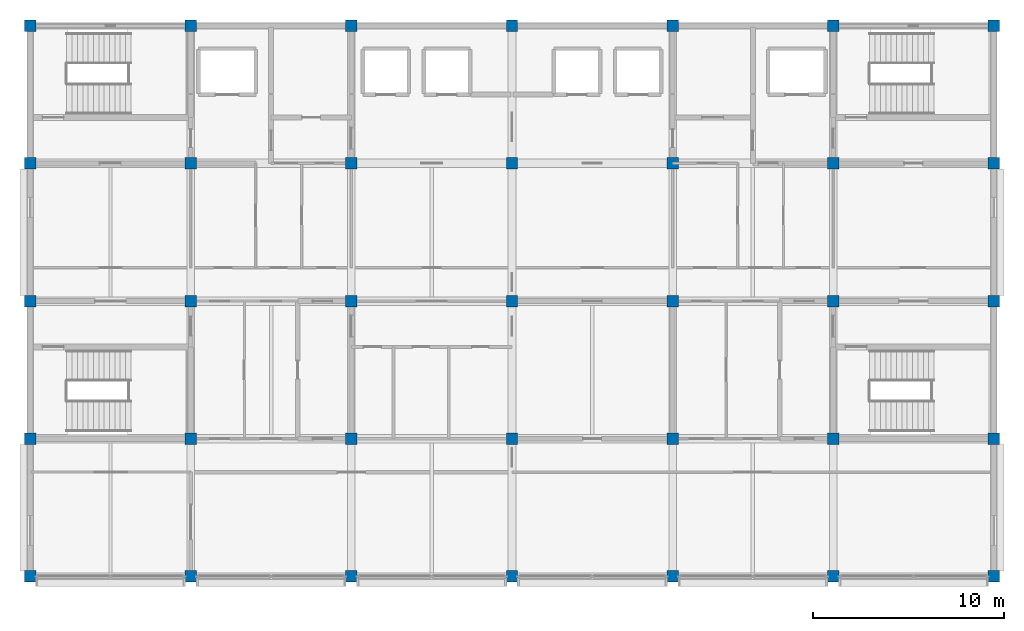
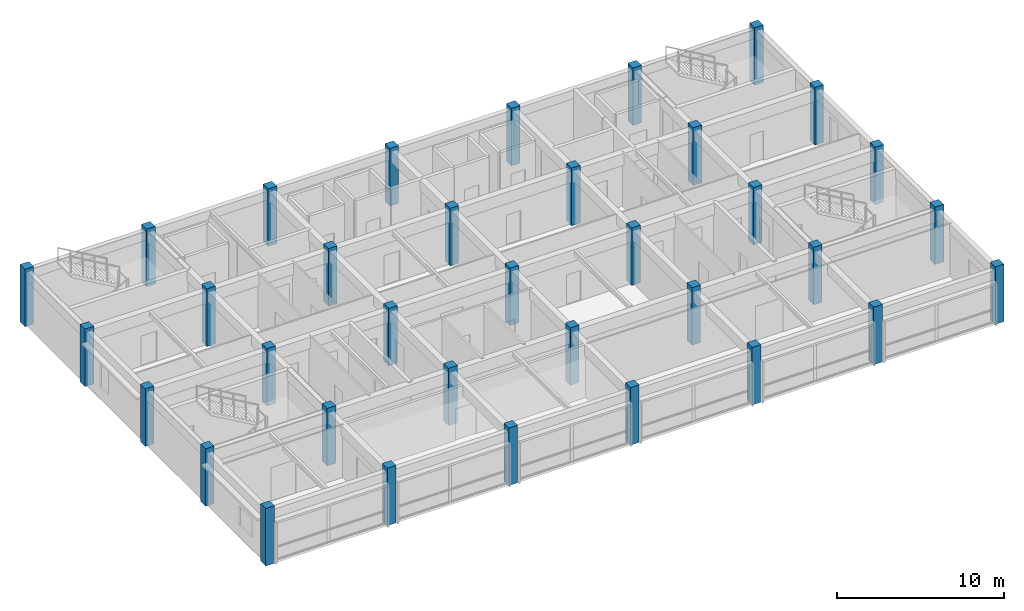
# One storey, part 1 of 13: 35 columns.
"""IFC4 building model written with IfcOpenShell, lengths in metres."""

from ifc_helpers import new_model, si_unit, direction, frame, origin, origin_2d, place, context, subcontext, project, spatial, rectangle, extrude, material, material_profile, profile_set, type_object, element, save


model = new_model("IFC4")

# Units and contexts
model_context = context("Model", 3, precision=1e-05, world=origin(), true_north=direction((0.0, 1.0)))
body_context = subcontext(model_context, "Body", "Model", "MODEL_VIEW")
ifc_project = project(units=[si_unit("LENGTHUNIT", "METRE"), si_unit("AREAUNIT", "SQUARE_METRE"), si_unit("VOLUMEUNIT", "CUBIC_METRE"), si_unit("PLANEANGLEUNIT", "RADIAN"), si_unit("MASSUNIT", "GRAM", prefix="KILO")], contexts=[model_context])

# Site, building, storey
site_placement = place(None, origin())
site = spatial("IfcSite", under=ifc_project, at=site_placement, CompositionType="ELEMENT")
building_placement = place(site_placement, origin())
building = spatial("IfcBuilding", under=site, at=building_placement, Name="Chengyuan Square Courthouse", CompositionType="ELEMENT")
storey_placement = place(building_placement, frame((0.0, 0.0, 64.5)))
storey = spatial("IfcBuildingStorey", under=building, at=storey_placement, Name="L15", CompositionType="ELEMENT", Elevation=64.5)

# Columns
ifc_material = material(Name="Concrete C40", Category="concrete")
ifc_material_profile = material_profile(ifc_material, rectangle(XDim=0.60009765625, YDim=0.60009765625, at=origin_2d()), Name="RC-COL-600x600")
ifc_profile_set = profile_set([ifc_material_profile], Name="Concrete C40")
column_type = type_object("IfcColumnType", Name="CL-07", PredefinedType="COLUMN", material=ifc_profile_set)
for number, where, z_axis, x_axis, name in (
    (1, (58.800048828125, 79.199951171875, 0.0), (0.0, 0.0, 1.0), (1.0, 0.0, 0.0), "Column CL-L15-001"),
    (2, (58.800048828125, 86.39990234375, 0.0), (0.0, 0.0, 1.0), (1.0, 0.0, 0.0), "Column CL-L15-002"),
    (3, (58.800048828125, 93.60009765625, 0.0), (0.0, 0.0, 1.0), (1.0, 0.0, 0.0), "Column CL-L15-003"),
    (4, (58.800048828125, 100.800048828125, 0.0), (0.0, 0.0, 1.0), (1.0, 0.0, 0.0), "Column CL-L15-004"),
    (5, (58.800048828125, 108.0, 0.0), (0.0, 0.0, 1.0), (1.0, 0.0, 0.0), "Column CL-L15-005"),
    (6, (67.199951171875, 79.199951171875, 0.0), (0.0, 0.0, 1.0), (1.0, 0.0, 0.0), "Column CL-L15-006"),
    (7, (67.199951171875, 86.39990234375, 0.0), (0.0, 0.0, 1.0), (1.0, 0.0, 0.0), "Column CL-L15-007"),
    (8, (67.199951171875, 93.60009765625, 0.0), (0.0, 0.0, 1.0), (1.0, 0.0, 0.0), "Column CL-L15-008"),
    (9, (67.199951171875, 100.800048828125, 0.0), (0.0, 0.0, 1.0), (1.0, 0.0, 0.0), "Column CL-L15-009"),
    (10, (67.199951171875, 108.0, 0.0), (0.0, 0.0, 1.0), (1.0, 0.0, 0.0), "Column CL-L15-010"),
    (11, (75.60009765625, 79.199951171875, 0.0), (0.0, 0.0, 1.0), (1.0, 0.0, 0.0), "Column CL-L15-011"),
    (12, (75.60009765625, 86.39990234375, 0.0), (0.0, 0.0, 1.0), (1.0, 0.0, 0.0), "Column CL-L15-012"),
    (13, (75.60009765625, 93.60009765625, 0.0), (0.0, 0.0, 1.0), (1.0, 0.0, 0.0), "Column CL-L15-013"),
    (14, (75.60009765625, 100.800048828125, 0.0), (0.0, 0.0, 1.0), (1.0, 0.0, 0.0), "Column CL-L15-014"),
    (15, (75.60009765625, 108.0, 0.0), (0.0, 0.0, 1.0), (1.0, 0.0, 0.0), "Column CL-L15-015"),
    (16, (84.0, 79.199951171875, 0.0), (0.0, 0.0, 1.0), (1.0, 0.0, 0.0), "Column CL-L15-016"),
    (17, (84.0, 86.39990234375, 0.0), (0.0, 0.0, 1.0), (1.0, 0.0, 0.0), "Column CL-L15-017"),
    (18, (84.0, 93.60009765625, 0.0), (0.0, 0.0, 1.0), (1.0, 0.0, 0.0), "Column CL-L15-018"),
    (19, (84.0, 100.800048828125, 0.0), (0.0, 0.0, 1.0), (1.0, 0.0, 0.0), "Column CL-L15-019"),
    (20, (84.0, 108.0, 0.0), (0.0, 0.0, 1.0), (1.0, 0.0, 0.0), "Column CL-L15-020"),
    (21, (92.39990234375, 79.199951171875, 0.0), (0.0, 0.0, 1.0), (1.0, 0.0, 0.0), "Column CL-L15-021"),
    (22, (92.39990234375, 86.39990234375, 0.0), (0.0, 0.0, 1.0), (1.0, 0.0, 0.0), "Column CL-L15-022"),
    (23, (92.39990234375, 93.60009765625, 0.0), (0.0, 0.0, 1.0), (1.0, 0.0, 0.0), "Column CL-L15-023"),
    (24, (92.39990234375, 100.800048828125, 0.0), (0.0, 0.0, 1.0), (1.0, 0.0, 0.0), "Column CL-L15-024"),
    (25, (92.39990234375, 108.0, 0.0), (0.0, 0.0, 1.0), (1.0, 0.0, 0.0), "Column CL-L15-025"),
    (26, (100.800048828125, 79.199951171875, 0.0), (0.0, 0.0, 1.0), (1.0, 0.0, 0.0), "Column CL-L15-026"),
    (27, (100.800048828125, 86.39990234375, 0.0), (0.0, 0.0, 1.0), (1.0, 0.0, 0.0), "Column CL-L15-027"),
    (28, (100.800048828125, 93.60009765625, 0.0), (0.0, 0.0, 1.0), (1.0, 0.0, 0.0), "Column CL-L15-028"),
    (29, (100.800048828125, 100.800048828125, 0.0), (0.0, 0.0, 1.0), (1.0, 0.0, 0.0), "Column CL-L15-029"),
    (30, (100.800048828125, 108.0, 0.0), (0.0, 0.0, 1.0), (1.0, 0.0, 0.0), "Column CL-L15-030"),
    (31, (109.199951171875, 79.199951171875, 0.0), (0.0, 0.0, 1.0), (1.0, 0.0, 0.0), "Column CL-L15-031"),
    (32, (109.199951171875, 86.39990234375, 0.0), (0.0, 0.0, 1.0), (1.0, 0.0, 0.0), "Column CL-L15-032"),
    (33, (109.199951171875, 93.60009765625, 0.0), (0.0, 0.0, 1.0), (1.0, 0.0, 0.0), "Column CL-L15-033"),
    (34, (109.199951171875, 100.800048828125, 0.0), (0.0, 0.0, 1.0), (1.0, 0.0, 0.0), "Column CL-L15-034"),
    (35, (109.199951171875, 108.0, 0.0), (0.0, 0.0, 1.0), (1.0, 0.0, 0.0), "Column CL-L15-035"),
):
    element("IfcColumn", number, at=place(storey_placement, frame(where, z_axis=z_axis, x_axis=x_axis)), inside=storey, type_object=column_type, Name=name, PredefinedType="COLUMN", context=body_context, shape_type="SweptSolid", body=[
        extrude(rectangle(XDim=0.60009765625, YDim=0.60009765625, at=origin_2d()), origin(), (0.0, 0.0, 1.0), 4.199951171875),
    ])

save(model, "model.ifc")
